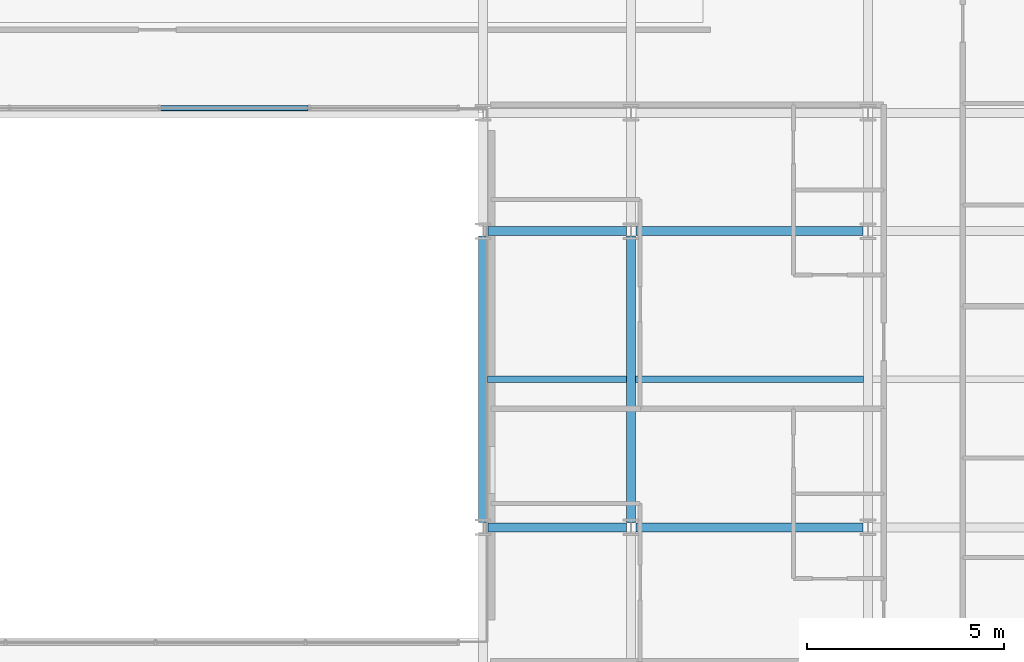
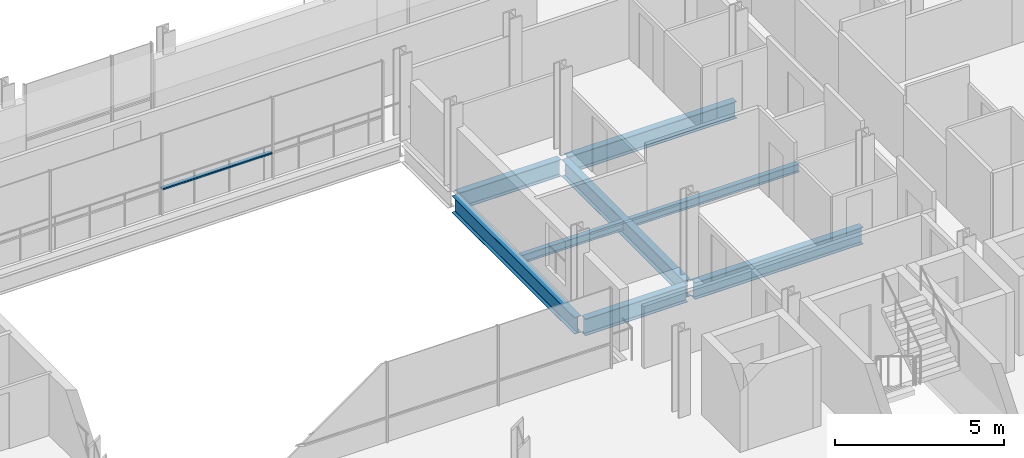
# One storey, part 16 of 38: 8 beams, 1 member, 1 element without a shape of its own.
"""IFC4 building model written with IfcOpenShell, lengths in metres."""

from ifc_helpers import new_model, si_unit, direction, frame, origin, origin_2d, place, context, subcontext, project, spatial, hollow_rectangle, i_section, extrude, material, layer, layer_set, material_profile, profile_set, type_object, element, aggregate, save


model = new_model("IFC4")

# Units and contexts
model_context = context("Model", 3, precision=1e-05, world=origin(), true_north=direction((0.0, 1.0)))
body_context = subcontext(model_context, "Body", "Model", "MODEL_VIEW")
ifc_project = project(units=[si_unit("LENGTHUNIT", "METRE"), si_unit("AREAUNIT", "SQUARE_METRE"), si_unit("VOLUMEUNIT", "CUBIC_METRE"), si_unit("PLANEANGLEUNIT", "RADIAN"), si_unit("MASSUNIT", "GRAM", prefix="KILO")], contexts=[model_context])

# Site, building, storey
site_placement = place(None, origin())
site = spatial("IfcSite", under=ifc_project, at=site_placement, CompositionType="ELEMENT")
building_placement = place(site_placement, origin())
building = spatial("IfcBuilding", under=site, at=building_placement, Name="Brevholm Reach", CompositionType="ELEMENT")
storey_placement = place(building_placement, frame((0.0, 0.0, 128.300048828125)))
storey = spatial("IfcBuildingStorey", under=building, at=storey_placement, Name="L38", CompositionType="ELEMENT", Elevation=128.300048828125)

# Beams
ifc_material_1 = material(Name="Structural Steel S355J2", Category="steel")
ifc_material_profile_1 = material_profile(ifc_material_1, i_section(OverallWidth=0.1650390625, OverallDepth=0.303466796875, WebThickness=0.006103515625, FlangeThickness=0.01025390625, FilletRadius=0.0087890625, at=origin_2d()), Name="UKB 305x165x40")
ifc_profile_set_1 = profile_set([ifc_material_profile_1], Name="Structural Steel S355J2")
beam_type_1 = type_object("IfcBeamType", Name="BM-B305", PredefinedType="BEAM", material=ifc_profile_set_1)
beam_1_placement = place(storey_placement, frame((38.364501953125, 19.75, -0.371826171875), z_axis=(1.0, 0.0, 0.0), x_axis=(0.0, 1.0, 0.0)))
element("IfcBeam", 1, at=beam_1_placement, inside=storey, type_object=beam_type_1, Name="L38 Composite Secondary Floor Beam", PredefinedType="BEAM", context=body_context, shape_type="SweptSolid", body=[
    extrude(i_section(OverallWidth=0.1650390625, OverallDepth=0.303466796875, WebThickness=0.006103515625, FlangeThickness=0.01025390625, FilletRadius=0.0087890625, at=origin_2d()), origin(), (0.0, 0.0, 1.0), 3.52099609375),
])
beam_2_placement = place(storey_placement, frame((42.114501953125, 19.75, -0.371826171875), z_axis=(1.0, 0.0, 0.0), x_axis=(0.0, 1.0, 0.0)))
element("IfcBeam", 2, at=beam_2_placement, inside=storey, type_object=beam_type_1, Name="L38 Composite Secondary Floor Beam", PredefinedType="BEAM", context=body_context, shape_type="SweptSolid", body=[
    extrude(i_section(OverallWidth=0.1650390625, OverallDepth=0.303466796875, WebThickness=0.006103515625, FlangeThickness=0.01025390625, FilletRadius=0.0087890625, at=origin_2d()), origin(), (0.0, 0.0, 1.0), 5.77099609375),
])
ifc_material_2 = material(Name="Structural Steel S355J2", Category="steel")
ifc_material_profile_2 = material_profile(ifc_material_2, i_section(OverallWidth=0.22900390625, OverallDepth=0.6123046875, WebThickness=0.011962890625, FlangeThickness=0.01953125, FilletRadius=0.0126953125, at=origin_2d()), Name="UKB 610x229x125")
ifc_profile_set_2 = profile_set([ifc_material_profile_2], Name="Structural Steel S355J2")
beam_type_2 = type_object("IfcBeamType", Name="BM-SP610", PredefinedType="SPANDREL", material=ifc_profile_set_2)
beam_3_placement = place(storey_placement, frame((38.3701171875, 16.0, -0.526123046875), z_axis=(1.0, 0.0, 0.0), x_axis=(0.0, 1.0, 0.0)))
element("IfcBeam", 3, at=beam_3_placement, inside=storey, type_object=beam_type_2, Name="L38 SP-01 Framing Beam", PredefinedType="SPANDREL", context=body_context, shape_type="SweptSolid", body=[
    extrude(i_section(OverallWidth=0.22900390625, OverallDepth=0.6123046875, WebThickness=0.011962890625, FlangeThickness=0.01953125, FilletRadius=0.0126953125, at=origin_2d()), origin(), (0.0, 0.0, 1.0), 3.509765625),
])
beam_4_placement = place(storey_placement, frame((42.1201171875, 16.0, -0.526123046875), z_axis=(1.0, 0.0, 0.0), x_axis=(0.0, 1.0, 0.0)))
element("IfcBeam", 4, at=beam_4_placement, inside=storey, type_object=beam_type_2, Name="L38 SP-01 Framing Beam", PredefinedType="SPANDREL", context=body_context, shape_type="SweptSolid", body=[
    extrude(i_section(OverallWidth=0.22900390625, OverallDepth=0.6123046875, WebThickness=0.011962890625, FlangeThickness=0.01953125, FilletRadius=0.0126953125, at=origin_2d()), origin(), (0.0, 0.0, 1.0), 5.759765625),
])
beam_5_placement = place(storey_placement, frame((38.3701171875, 23.5, -0.526123046875), z_axis=(1.0, 0.0, 0.0), x_axis=(0.0, 1.0, 0.0)))
element("IfcBeam", 5, at=beam_5_placement, inside=storey, type_object=beam_type_2, Name="L38 SP-01 Framing Beam", PredefinedType="SPANDREL", context=body_context, shape_type="SweptSolid", body=[
    extrude(i_section(OverallWidth=0.22900390625, OverallDepth=0.6123046875, WebThickness=0.011962890625, FlangeThickness=0.01953125, FilletRadius=0.0126953125, at=origin_2d()), origin(), (0.0, 0.0, 1.0), 3.509765625),
])
beam_6_placement = place(storey_placement, frame((42.1201171875, 23.5, -0.526123046875), z_axis=(1.0, 0.0, 0.0), x_axis=(0.0, 1.0, 0.0)))
element("IfcBeam", 6, at=beam_6_placement, inside=storey, type_object=beam_type_2, Name="L38 SP-01 Framing Beam", PredefinedType="SPANDREL", context=body_context, shape_type="SweptSolid", body=[
    extrude(i_section(OverallWidth=0.22900390625, OverallDepth=0.6123046875, WebThickness=0.011962890625, FlangeThickness=0.01953125, FilletRadius=0.0126953125, at=origin_2d()), origin(), (0.0, 0.0, 1.0), 5.759765625),
])
for number, where, z_axis, x_axis, name in (
    (7, (38.25, 16.1201171875, -0.526123046875), (0.0, 1.0, 0.0), (-1.0, 0.0, 0.0), "L38 SP-01 Framing Beam"),
    (8, (42.0, 16.1201171875, -0.526123046875), (0.0, 1.0, 0.0), (-1.0, 0.0, 0.0), "L38 SP-01 Framing Beam"),
):
    element("IfcBeam", number, at=place(storey_placement, frame(where, z_axis=z_axis, x_axis=x_axis)), inside=storey, type_object=beam_type_2, Name=name, PredefinedType="SPANDREL", context=body_context, shape_type="SweptSolid", body=[
        extrude(i_section(OverallWidth=0.22900390625, OverallDepth=0.6123046875, WebThickness=0.011962890625, FlangeThickness=0.01953125, FilletRadius=0.0126953125, at=origin_2d()), origin(), (0.0, 0.0, 1.0), 7.259765625),
    ])

# Curtain wall, member
ifc_material_3 = material(Name="Dark Anodised Aluminium 6063-T6 and Solar-Control Glass", Category="aluminium")
ifc_layer = layer(ifc_material_3, 0.139892578125)
ifc_layer_set = layer_set([ifc_layer], Name="Dark Anodised Aluminium 6063-T6 and Solar-Control Glass")
curtain_wall_type = type_object("IfcCurtainWallType", Name="CW-02", PredefinedType="NOTDEFINED", material=ifc_layer_set)
curtain_wall_placement = place(storey_placement, origin())
curtain_wall = element("IfcCurtainWall", 9, at=curtain_wall_placement, inside=storey, type_object=curtain_wall_type, Name="L38 Curtain Wall CW-02", PredefinedType="NOTDEFINED")
ifc_material_4 = material(Name="Dark Anodised Aluminium 6063-T6", Category="aluminium")
ifc_material_profile_3 = material_profile(ifc_material_4, hollow_rectangle(XDim=0.06005859375, YDim=0.139892578125, WallThickness=0.0048828125, InnerFilletRadius=0.0048828125, OuterFilletRadius=0.010009765625, at=origin_2d()), Name="RHS 140x60x5")
ifc_profile_set_3 = profile_set([ifc_material_profile_3], Name="Dark Anodised Aluminium 6063-T6")
member_type = type_object("IfcMemberType", Name="CWT-140", PredefinedType="NOTDEFINED", material=ifc_profile_set_3)
member_placement = place(storey_placement, frame((33.820068359375, 26.6201171875, 0.89990234375), z_axis=(-1.0, 0.0, 0.0), x_axis=(0.0, 0.0, 1.0)))
member = element("IfcMember", 10, at=member_placement, type_object=member_type, Name="CT-140 Transom 2.1", ObjectType="TRANSOM", PredefinedType="USERDEFINED", context=body_context, shape_type="SweptSolid", body=[
    extrude(hollow_rectangle(XDim=0.06005859375, YDim=0.139892578125, WallThickness=0.0048828125, InnerFilletRadius=0.0048828125, OuterFilletRadius=0.010009765625, at=origin_2d()), origin(), (0.0, 0.0, 1.0), 3.739990234375),
])
aggregate(curtain_wall, [member])

save(model, "model.ifc")
